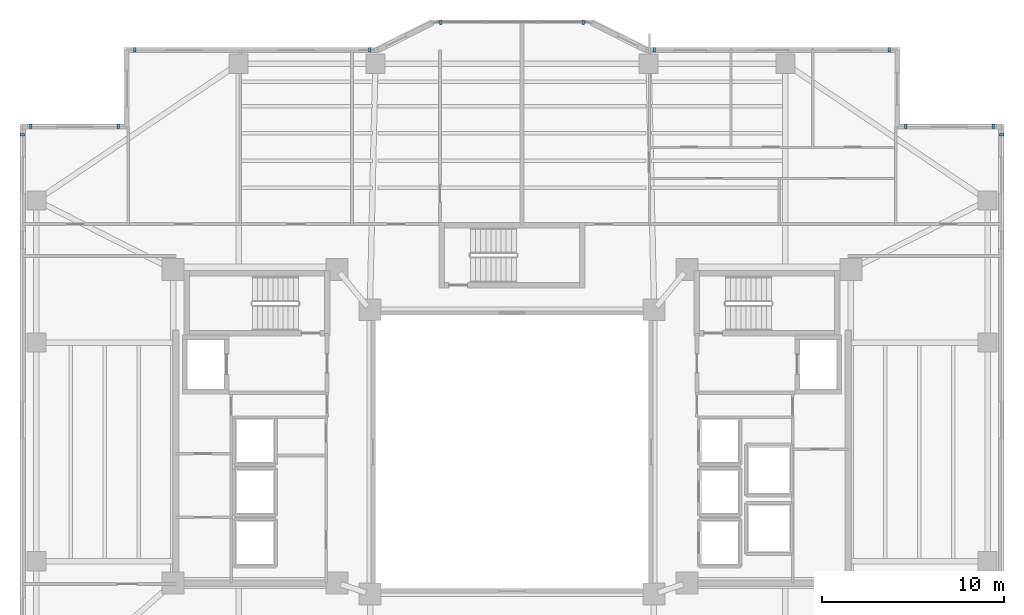
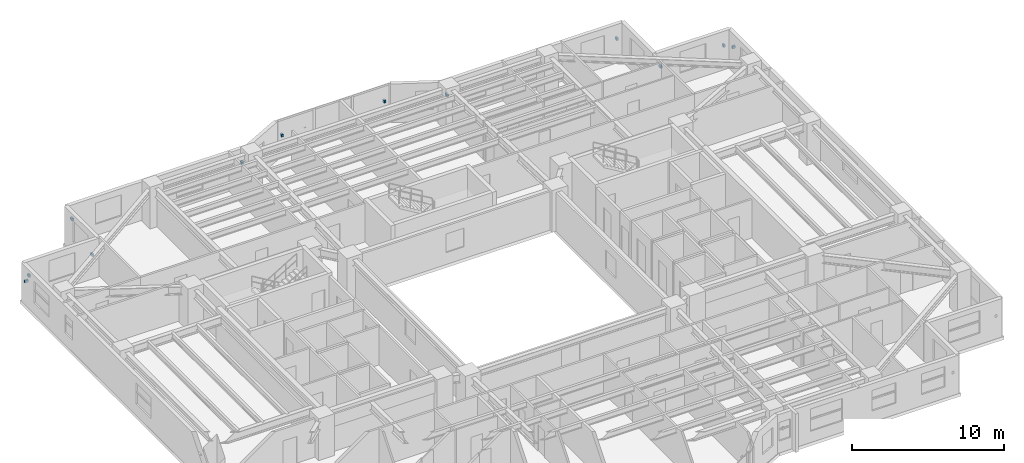
# One storey, part 13 of 18: 12 discrete accessories.
"""IFC4 building model written with IfcOpenShell, lengths in metres."""

from ifc_helpers import new_model, si_unit, direction, frame, origin, origin_2d, place, context, subcontext, project, spatial, rectangle, extrude, material, type_object, element, save


model = new_model("IFC4")

# Units and contexts
model_context = context("Model", 3, precision=1e-05, world=origin(), true_north=direction((0.0, 1.0)))
body_context = subcontext(model_context, "Body", "Model", "MODEL_VIEW")
ifc_project = project(units=[si_unit("LENGTHUNIT", "METRE"), si_unit("AREAUNIT", "SQUARE_METRE"), si_unit("VOLUMEUNIT", "CUBIC_METRE"), si_unit("PLANEANGLEUNIT", "RADIAN"), si_unit("MASSUNIT", "GRAM", prefix="KILO")], contexts=[model_context])

# Site, building, storey
site_placement = place(None, origin())
site = spatial("IfcSite", under=ifc_project, at=site_placement, CompositionType="ELEMENT")
building_placement = place(site_placement, origin())
building = spatial("IfcBuilding", under=site, at=building_placement, Name="Tarnavaz Court Tower", CompositionType="ELEMENT")
storey_placement = place(building_placement, frame((0.0, 0.0, 88.35009765625)))
storey = spatial("IfcBuildingStorey", under=building, at=storey_placement, Name="L23", CompositionType="ELEMENT", Elevation=88.35009765625)

# Discrete accessories
ifc_material = material(Name="Anodised Aluminium 6063-T6", Category="aluminium")
discrete_accessory_type = type_object("IfcDiscreteAccessoryType", Name="DA-BRKT-ALU", PredefinedType="BRACKET", material=ifc_material)
for number, where, z_axis, x_axis, name in (
    (1, (-26.8701171875, 17.39990234375, 1.75), (0.0, 0.0, 1.0), (0.0, 1.0, 0.0), "L23 Baguette Outrigger Bracket FBG02-2"),
    (2, (-26.39990234375, 17.8701171875, 1.75), (0.0, 0.0, 1.0), (1.0, 0.0, 0.0), "L23 Baguette Outrigger Bracket FBG03-1"),
    (3, (-21.60009765625, 17.8701171875, 1.75), (0.0, 0.0, 1.0), (1.0, 0.0, 0.0), "L23 Baguette Outrigger Bracket FBG03-2"),
    (4, (-20.699951171875, 22.070068359375, 1.75), (0.0, 0.0, 1.0), (1.0, 0.0, 0.0), "L23 Baguette Outrigger Bracket FBG05-1"),
    (5, (-7.800048828125, 22.070068359375, 1.75), (0.0, 0.0, 1.0), (1.0, 0.0, 0.0), "L23 Baguette Outrigger Bracket FBG05-2"),
    (6, (-3.89990234375, 23.570068359375, 1.69970703125), (0.0, 0.0, 1.0), (1.0, 0.0, 0.0), "L23 Baguette Outrigger Bracket PBG7-1"),
    (7, (3.89990234375, 23.570068359375, 1.69970703125), (0.0, 0.0, 1.0), (1.0, 0.0, 0.0), "L23 Baguette Outrigger Bracket PBG7-2"),
    (8, (7.800048828125, 22.070068359375, 1.75), (0.0, 0.0, 1.0), (1.0, 0.0, 0.0), "L23 Baguette Outrigger Bracket FBG09-1"),
    (9, (20.699951171875, 22.070068359375, 1.75), (0.0, 0.0, 1.0), (1.0, 0.0, 0.0), "L23 Baguette Outrigger Bracket FBG09-2"),
    (10, (21.60009765625, 17.8701171875, 1.75), (0.0, 0.0, 1.0), (1.0, 0.0, 0.0), "L23 Baguette Outrigger Bracket FBG11-1"),
    (11, (26.39990234375, 17.8701171875, 1.75), (0.0, 0.0, 1.0), (1.0, 0.0, 0.0), "L23 Baguette Outrigger Bracket FBG11-2"),
    (12, (26.8701171875, 17.39990234375, 1.75), (0.0, 0.0, 1.0), (0.0, -1.0, 0.0), "L23 Baguette Outrigger Bracket FBG12-1"),
):
    element("IfcDiscreteAccessory", number, at=place(storey_placement, frame(where, z_axis=z_axis, x_axis=x_axis)), inside=storey, type_object=discrete_accessory_type, Name=name, PredefinedType="BRACKET", context=body_context, shape_type="SweptSolid", body=[
        extrude(rectangle(XDim=0.139892578125, YDim=0.239990234375, at=origin_2d()), origin(), (0.0, 0.0, 1.0), 0.199951171875),
    ])

save(model, "model.ifc")
